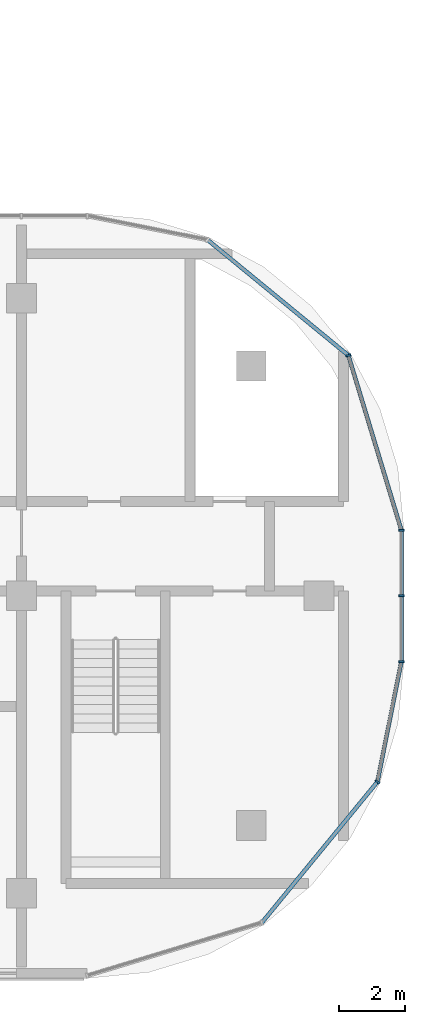
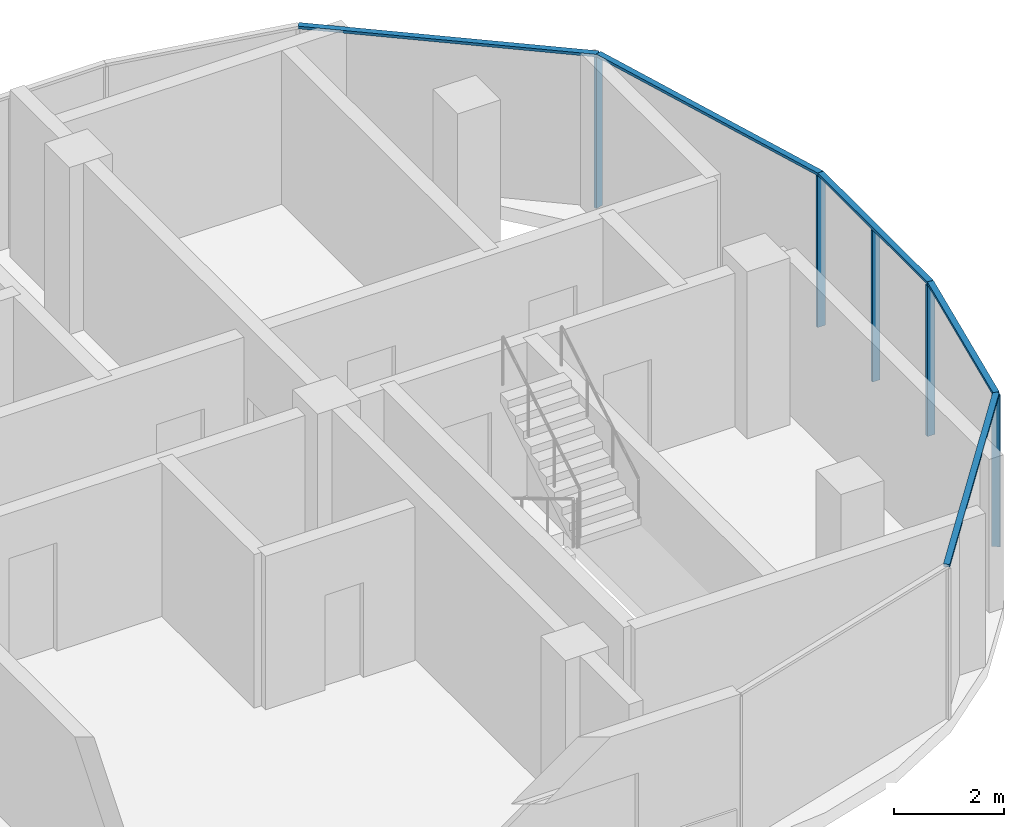
# One storey, part 7 of 18: 10 members, 3 elements without a shape of their own.
"""IFC4 building model written with IfcOpenShell, lengths in metres."""

from ifc_helpers import new_model, si_unit, direction, frame, origin, origin_2d, place, context, subcontext, project, spatial, rectangle, extrude, material, material_profile, profile_set, type_object, element, aggregate, save


model = new_model("IFC4")

# Units and contexts
model_context = context("Model", 3, precision=1e-05, world=origin(), true_north=direction((0.0, 1.0)))
body_context = subcontext(model_context, "Body", "Model", "MODEL_VIEW")
ifc_project = project(units=[si_unit("LENGTHUNIT", "METRE"), si_unit("AREAUNIT", "SQUARE_METRE"), si_unit("VOLUMEUNIT", "CUBIC_METRE"), si_unit("PLANEANGLEUNIT", "RADIAN"), si_unit("MASSUNIT", "GRAM", prefix="KILO")], contexts=[model_context])

# Site, building, storey
site_placement = place(None, origin())
site = spatial("IfcSite", under=ifc_project, at=site_placement, CompositionType="ELEMENT")
building_placement = place(site_placement, origin())
building = spatial("IfcBuilding", under=site, at=building_placement, Name="Ogive Portal Towers", CompositionType="ELEMENT")
storey_placement = place(building_placement, frame((0.0, 0.0, 236.5)))
storey = spatial("IfcBuildingStorey", under=building, at=storey_placement, Name="L59", CompositionType="ELEMENT", Elevation=236.5)

# Curtain wall, members
ifc_material_1 = material(Name="Glass, clear low-iron insulated glazing", Category="glass")
curtain_wall_type = type_object("IfcCurtainWallType", Name="CW FRONT RIBBON 4500", PredefinedType="NOTDEFINED", material=ifc_material_1)
curtain_wall_1_placement = place(storey_placement, origin())
curtain_wall_1 = element("IfcCurtainWall", 1, at=curtain_wall_1_placement, inside=storey, type_object=curtain_wall_type, Name="A:L59:f12:cw0", PredefinedType="NOTDEFINED")
ifc_material_2 = material(Name="Aluminium 6063 anodised", Category="aluminium")
ifc_material_profile_1 = material_profile(ifc_material_2, rectangle(XDim=0.159912109375, YDim=0.06005859375, at=origin_2d()), Name="AL 60x160")
ifc_profile_set_1 = profile_set([ifc_material_profile_1], Name="Aluminium 6063 anodised")
member_type_1 = type_object("IfcMemberType", Name="CW MULLION 60x160", PredefinedType="MULLION", material=ifc_profile_set_1)
member_1_placement = place(storey_placement, frame((96.9951171875, 28.5078125, 0.0), z_axis=(0.0, 0.0, 1.0), x_axis=(-1.0, 0.0, 0.0)))
member_1 = element("IfcMember", 2, at=member_1_placement, type_object=member_type_1, Name="mullion", PredefinedType="MULLION", context=body_context, shape_type="SweptSolid", body=[
    extrude(rectangle(XDim=0.159912109375, YDim=0.06005859375, at=origin_2d()), origin(), (0.0, 0.0, 1.0), 3.340087890625),
])
member_2_placement = place(storey_placement, frame((96.9951171875, 30.5, 0.0), z_axis=(0.0, 0.0, 1.0), x_axis=(-1.0, 0.0, 0.0)))
member_2 = element("IfcMember", 3, at=member_2_placement, type_object=member_type_1, Name="mullion", PredefinedType="MULLION", context=body_context, shape_type="SweptSolid", body=[
    extrude(rectangle(XDim=0.159912109375, YDim=0.06005859375, at=origin_2d()), origin(), (0.0, 0.0, 1.0), 3.340087890625),
])
member_3_placement = place(storey_placement, frame((96.9951171875, 32.488037109375, 0.0), z_axis=(0.0, 0.0, 1.0), x_axis=(-1.0, 0.0, 0.0)))
member_3 = element("IfcMember", 4, at=member_3_placement, type_object=member_type_1, Name="mullion", PredefinedType="MULLION", context=body_context, shape_type="SweptSolid", body=[
    extrude(rectangle(XDim=0.159912109375, YDim=0.06005859375, at=origin_2d()), origin(), (0.0, 0.0, 1.0), 3.340087890625),
])

# Curtain wall, member
curtain_wall_2_placement = place(storey_placement, origin())
curtain_wall_2 = element("IfcCurtainWall", 5, at=curtain_wall_2_placement, inside=storey, type_object=curtain_wall_type, Name="A:L59:f09:cwa", PredefinedType="NOTDEFINED")
member_4_placement = place(storey_placement, frame((96.271484375, 24.87109375, 0.0), z_axis=(0.0, 0.0, 1.0), x_axis=(-0.773010453363, 0.634393284164, 0.0)))
member_4 = element("IfcMember", 6, at=member_4_placement, type_object=member_type_1, Name="mullion", PredefinedType="MULLION", context=body_context, shape_type="SweptSolid", body=[
    extrude(rectangle(XDim=0.159912109375, YDim=0.06005859375, at=origin_2d()), origin(), (0.0, 0.0, 1.0), 3.340087890625),
])

curtain_wall_3_placement = place(storey_placement, origin())
curtain_wall_3 = element("IfcCurtainWall", 7, at=curtain_wall_3_placement, inside=storey, type_object=curtain_wall_type, Name="A:L59:f13:cwa", PredefinedType="NOTDEFINED")
member_5_placement = place(storey_placement, frame((95.391845703125, 37.773193359375, 0.0), z_axis=(0.0, 0.0, 1.0), x_axis=(-0.956940335732, -0.290284677254, 0.0)))
member_5 = element("IfcMember", 8, at=member_5_placement, type_object=member_type_1, Name="mullion", PredefinedType="MULLION", context=body_context, shape_type="SweptSolid", body=[
    extrude(rectangle(XDim=0.159912109375, YDim=0.06005859375, at=origin_2d()), origin(), (0.0, 0.0, 1.0), 3.340087890625),
])

# Member
ifc_material_profile_2 = material_profile(ifc_material_2, rectangle(XDim=0.1201171875, YDim=0.06005859375, at=origin_2d()), Name="AL 120x60")
ifc_profile_set_2 = profile_set([ifc_material_profile_2], Name="Aluminium 6063 anodised")
member_type_2 = type_object("IfcMemberType", Name="CW TRANSOM 60x120", PredefinedType="USERDEFINED", material=ifc_profile_set_2)
member_6_placement = place(storey_placement, frame((96.9951171875, 28.5078125, 3.3701171875), z_axis=(0.0, 1.0, 0.0), x_axis=(-1.0, 0.0, 0.0)))
member_6 = element("IfcMember", 9, at=member_6_placement, type_object=member_type_2, Name="transom", ObjectType="TRANSOM", PredefinedType="USERDEFINED", context=body_context, shape_type="SweptSolid", body=[
    extrude(rectangle(XDim=0.1201171875, YDim=0.06005859375, at=origin_2d()), origin(), (0.0, 0.0, 1.0), 3.980224609375),
])

aggregate(curtain_wall_1, [member_6, member_1, member_2, member_3])

member_7_placement = place(storey_placement, frame((92.773193359375, 20.608154296875, 3.3701171875), z_axis=(0.63437020596, 0.773029392579, 0.0), x_axis=(-0.773029392579, 0.63437020596, 0.0)))
member_7 = element("IfcMember", 10, at=member_7_placement, type_object=member_type_2, Name="transom", ObjectType="TRANSOM", PredefinedType="USERDEFINED", context=body_context, shape_type="SweptSolid", body=[
    extrude(rectangle(XDim=0.1201171875, YDim=0.06005859375, at=origin_2d()), origin(), (0.0, 0.0, 1.0), 5.5146484375),
])

member_8_placement = place(storey_placement, frame((96.271484375, 24.87109375, 3.3701171875), z_axis=(0.195153744134, 0.980772662828, 0.0), x_axis=(-0.980772662828, 0.195153744134, 0.0)))
member_8 = element("IfcMember", 11, at=member_8_placement, type_object=member_type_2, Name="transom", ObjectType="TRANSOM", PredefinedType="USERDEFINED", context=body_context, shape_type="SweptSolid", body=[
    extrude(rectangle(XDim=0.1201171875, YDim=0.06005859375, at=origin_2d()), origin(), (0.0, 0.0, 1.0), 3.7080078125),
])

aggregate(curtain_wall_2, [member_7, member_8, member_4])

member_9_placement = place(storey_placement, frame((96.9951171875, 32.488037109375, 3.3701171875), z_axis=(-0.290290789392, 0.956938481614, 0.0), x_axis=(-0.956938481614, -0.290290789392, 0.0)))
member_9 = element("IfcMember", 12, at=member_9_placement, type_object=member_type_2, Name="transom", ObjectType="TRANSOM", PredefinedType="USERDEFINED", context=body_context, shape_type="SweptSolid", body=[
    extrude(rectangle(XDim=0.1201171875, YDim=0.06005859375, at=origin_2d()), origin(), (0.0, 0.0, 1.0), 5.52294921875),
])

member_10_placement = place(storey_placement, frame((95.391845703125, 37.773193359375, 3.3701171875), z_axis=(-0.773029392579, 0.63437020596, 0.0), x_axis=(-0.63437020596, -0.773029392579, 0.0)))
member_10 = element("IfcMember", 13, at=member_10_placement, type_object=member_type_2, Name="transom", ObjectType="TRANSOM", PredefinedType="USERDEFINED", context=body_context, shape_type="SweptSolid", body=[
    extrude(rectangle(XDim=0.1201171875, YDim=0.06005859375, at=origin_2d()), origin(), (0.0, 0.0, 1.0), 5.5146484375),
])

aggregate(curtain_wall_3, [member_9, member_10, member_5])

save(model, "model.ifc")
